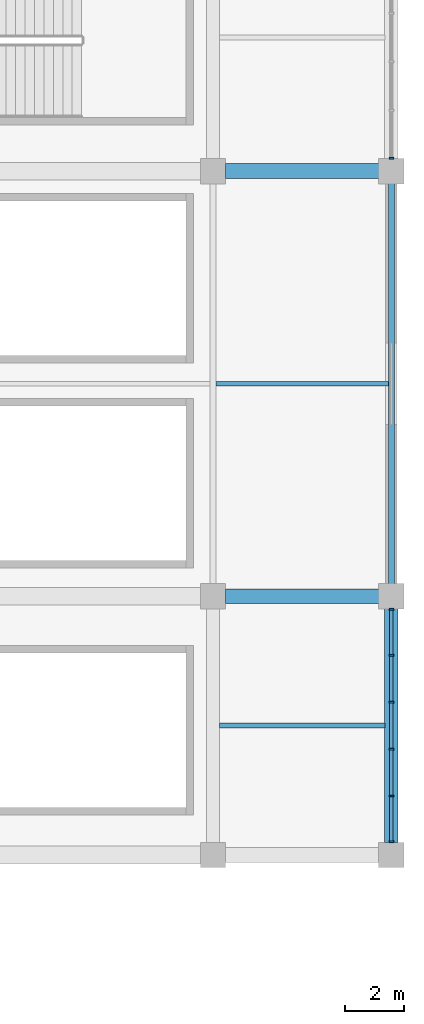
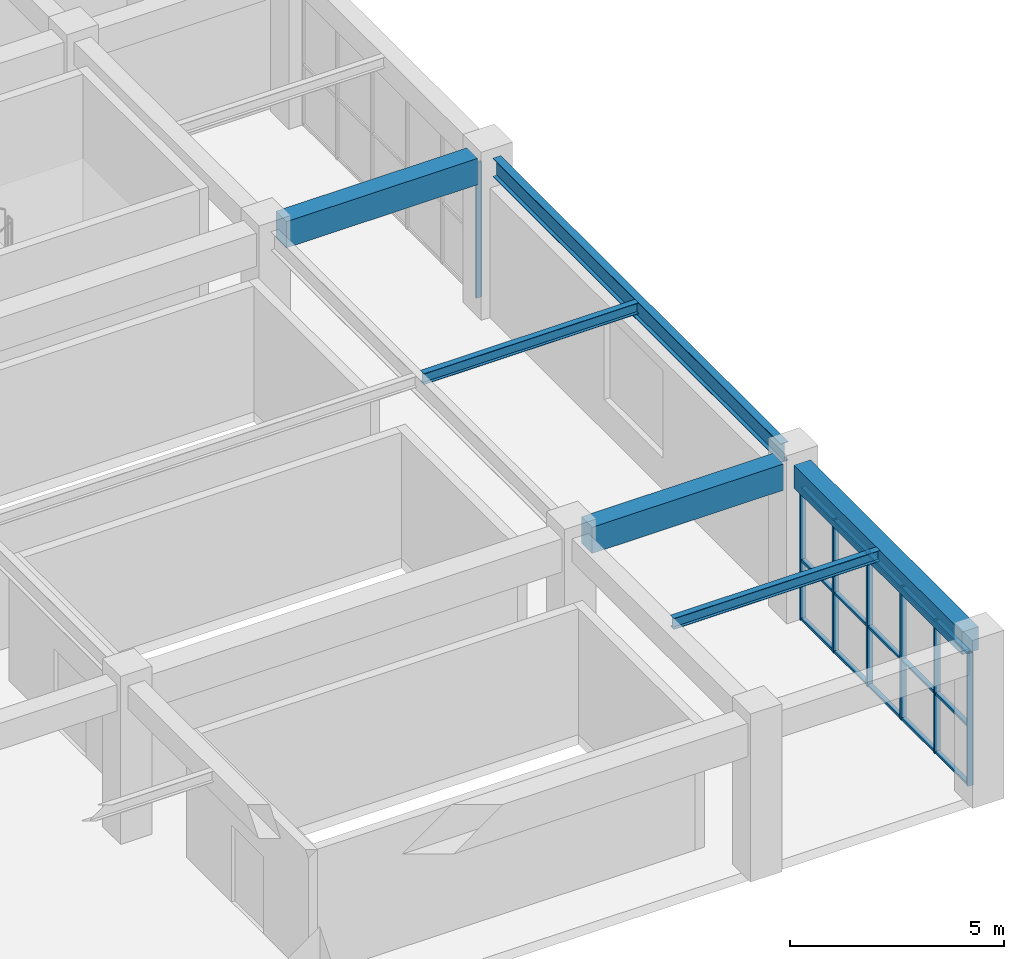
# One storey, part 63 of 122: 22 members, 6 beams, 2 elements without a shape of their own.
"""IFC4 building model written with IfcOpenShell, lengths in metres."""

from ifc_helpers import new_model, si_unit, direction, frame, origin, origin_2d, place, context, subcontext, project, spatial, rectangle, i_section, extrude, material, material_profile, profile_set, type_object, element, aggregate, save


model = new_model("IFC4")

# Units and contexts
model_context = context("Model", 3, precision=1e-05, world=origin(), true_north=direction((0.0, 1.0)))
body_context = subcontext(model_context, "Body", "Model", "MODEL_VIEW")
ifc_project = project(units=[si_unit("LENGTHUNIT", "METRE"), si_unit("AREAUNIT", "SQUARE_METRE"), si_unit("VOLUMEUNIT", "CUBIC_METRE"), si_unit("PLANEANGLEUNIT", "RADIAN"), si_unit("MASSUNIT", "GRAM", prefix="KILO")], contexts=[model_context])

# Site, building, storey
site_placement = place(None, origin())
site = spatial("IfcSite", under=ifc_project, at=site_placement, CompositionType="ELEMENT")
building_placement = place(site_placement, origin())
building = spatial("IfcBuilding", under=site, at=building_placement, Name="Cuetzalor Civic Arena", CompositionType="ELEMENT")
storey_placement = place(building_placement, frame((0.0, 0.0, 16.199951171875)))
storey = spatial("IfcBuildingStorey", under=building, at=storey_placement, Name="L03", CompositionType="ELEMENT", Elevation=16.199951171875)

# Beams
ifc_material_1 = material(Name="Concrete C40/50", Category="concrete")
ifc_material_profile_1 = material_profile(ifc_material_1, rectangle(XDim=0.5, YDim=0.75, at=origin_2d()), Name="RC 500x750")
ifc_profile_set_1 = profile_set([ifc_material_profile_1], Name="Concrete C40/50")
beam_type_1 = type_object("IfcBeamType", Name="ConcreteFrameBeam_500x750", PredefinedType="BEAM", material=ifc_profile_set_1)
for number, where, z_axis, x_axis, name in (
    (1, (76.4150390625, -48.300048828125, 4.0849609375), (1.0, 0.0, 0.0), (0.0, 1.0, 0.0), "Frame Girder V4E-L03-X0961"),
    (2, (76.4150390625, -34.0, 4.14501953125), (1.0, 0.0, 0.0), (0.0, 1.0, 0.0), "Frame Girder V4E-L03-X0964"),
):
    element("IfcBeam", number, at=place(storey_placement, frame(where, z_axis=z_axis, x_axis=x_axis)), inside=storey, type_object=beam_type_1, Name=name, PredefinedType="BEAM", context=body_context, shape_type="SweptSolid", body=[
        extrude(rectangle(XDim=0.5, YDim=0.75, at=origin_2d()), origin(), (0.0, 0.0, 1.0), 5.169921875),
    ])
ifc_material_2 = material(Name="Concrete C40/50", Category="concrete")
ifc_material_profile_2 = material_profile(ifc_material_2, rectangle(XDim=0.449951171875, YDim=0.64990234375, at=origin_2d()), Name="RC 450x650")
ifc_profile_set_2 = profile_set([ifc_material_profile_2], Name="Concrete C40/50")
beam_type_2 = type_object("IfcBeamType", Name="ConcreteTieBeam_450x650", PredefinedType="BEAM", material=ifc_profile_set_2)
beam_1_placement = place(storey_placement, frame((82.0, -56.5849609375, 4.135009765625), z_axis=(0.0, 1.0, 0.0), x_axis=(-1.0, 0.0, 0.0)))
element("IfcBeam", 3, at=beam_1_placement, inside=storey, type_object=beam_type_2, Name="Frame Girder V4E-L03-Y1019", PredefinedType="BEAM", context=body_context, shape_type="SweptSolid", body=[
    extrude(rectangle(XDim=0.449951171875, YDim=0.64990234375, at=origin_2d()), origin(), (0.0, 0.0, 1.0), 7.869873046875),
])

# Curtain wall, members
ifc_material_3 = material(Name="Anodised dark bronze aluminium and low-E solar glass", Category="aluminium")
curtain_wall_type_1 = type_object("IfcCurtainWallType", Name="UnitisedCW_7900x3800", PredefinedType="USERDEFINED", material=ifc_material_3)
curtain_wall_1_placement = place(storey_placement, origin())
curtain_wall_1 = element("IfcCurtainWall", 4, at=curtain_wall_1_placement, inside=storey, type_object=curtain_wall_type_1, Name="V4E Suite Viewing Curtain Wall L03-145", ObjectType="UNITISED CURTAIN WALL", PredefinedType="USERDEFINED")
ifc_material_4 = material(Name="Anodised dark bronze aluminium", Category="aluminium")
ifc_material_profile_3 = material_profile(ifc_material_4, rectangle(XDim=0.06494140625, YDim=0.14990234375, at=origin_2d()), Name="ALU MULLION 65x150")
ifc_profile_set_3 = profile_set([ifc_material_profile_3], Name="Anodised dark bronze aluminium")
member_type_1 = type_object("IfcMemberType", Name="CurtainWallMullion_60x150", PredefinedType="MULLION", material=ifc_profile_set_3)
member_1_placement = place(storey_placement, frame((82.0, -48.739501953125, 0.0), z_axis=(0.0, 0.0, 1.0), x_axis=(0.0, -1.0, 0.0)))
member_1 = element("IfcMember", 5, at=member_1_placement, type_object=member_type_1, Name="CW-44 mullion 1", PredefinedType="MULLION", context=body_context, shape_type="SweptSolid", body=[
    extrude(rectangle(XDim=0.06494140625, YDim=0.14990234375, at=origin_2d()), origin(), (0.0, 0.0, 1.0), 3.800048828125),
])
member_2_placement = place(storey_placement, frame((82.0, -50.2841796875, 0.0), z_axis=(0.0, 0.0, 1.0), x_axis=(0.0, -1.0, 0.0)))
member_2 = element("IfcMember", 6, at=member_2_placement, type_object=member_type_1, Name="CW-44 mullion 2", PredefinedType="MULLION", context=body_context, shape_type="SweptSolid", body=[
    extrude(rectangle(XDim=0.06494140625, YDim=0.14990234375, at=origin_2d()), origin(), (0.0, 0.0, 1.0), 3.800048828125),
])
member_3_placement = place(storey_placement, frame((82.0, -51.861328125, 0.0), z_axis=(0.0, 0.0, 1.0), x_axis=(0.0, -1.0, 0.0)))
member_3 = element("IfcMember", 7, at=member_3_placement, type_object=member_type_1, Name="CW-44 mullion 3", PredefinedType="MULLION", context=body_context, shape_type="SweptSolid", body=[
    extrude(rectangle(XDim=0.06494140625, YDim=0.14990234375, at=origin_2d()), origin(), (0.0, 0.0, 1.0), 3.800048828125),
])
member_4_placement = place(storey_placement, frame((82.0, -53.438720703125, 0.0), z_axis=(0.0, 0.0, 1.0), x_axis=(0.0, -1.0, 0.0)))
member_4 = element("IfcMember", 8, at=member_4_placement, type_object=member_type_1, Name="CW-44 mullion 4", PredefinedType="MULLION", context=body_context, shape_type="SweptSolid", body=[
    extrude(rectangle(XDim=0.06494140625, YDim=0.14990234375, at=origin_2d()), origin(), (0.0, 0.0, 1.0), 3.800048828125),
])
member_5_placement = place(storey_placement, frame((82.0, -55.015869140625, 0.0), z_axis=(0.0, 0.0, 1.0), x_axis=(0.0, -1.0, 0.0)))
member_5 = element("IfcMember", 9, at=member_5_placement, type_object=member_type_1, Name="CW-44 mullion 5", PredefinedType="MULLION", context=body_context, shape_type="SweptSolid", body=[
    extrude(rectangle(XDim=0.06494140625, YDim=0.14990234375, at=origin_2d()), origin(), (0.0, 0.0, 1.0), 3.800048828125),
])
member_6_placement = place(storey_placement, frame((82.0, -56.560546875, 0.0), z_axis=(0.0, 0.0, 1.0), x_axis=(0.0, -1.0, 0.0)))
member_6 = element("IfcMember", 10, at=member_6_placement, type_object=member_type_1, Name="CW-44 mullion 6", PredefinedType="MULLION", context=body_context, shape_type="SweptSolid", body=[
    extrude(rectangle(XDim=0.06494140625, YDim=0.14990234375, at=origin_2d()), origin(), (0.0, 0.0, 1.0), 3.800048828125),
])

# Curtain wall, member
ifc_material_5 = material(Name="Anodised dark bronze aluminium and low-E solar glass", Category="aluminium")
curtain_wall_type_2 = type_object("IfcCurtainWallType", Name="UnitisedCW_8200x3850", PredefinedType="USERDEFINED", material=ifc_material_5)
curtain_wall_2_placement = place(storey_placement, origin())
curtain_wall_2 = element("IfcCurtainWall", 11, at=curtain_wall_2_placement, inside=storey, type_object=curtain_wall_type_2, Name="V4E Suite Viewing Curtain Wall L03-146", ObjectType="UNITISED CURTAIN WALL", PredefinedType="USERDEFINED")
member_7_placement = place(storey_placement, frame((82.0, -33.560546875, 0.0), z_axis=(0.0, 0.0, 1.0), x_axis=(0.0, -1.0, 0.0)))
member_7 = element("IfcMember", 12, at=member_7_placement, type_object=member_type_1, Name="CW-45 mullion 6", PredefinedType="MULLION", context=body_context, shape_type="SweptSolid", body=[
    extrude(rectangle(XDim=0.06494140625, YDim=0.14990234375, at=origin_2d()), origin(), (0.0, 0.0, 1.0), 3.860107421875),
])
aggregate(curtain_wall_2, [member_7])

# Member
ifc_material_6 = material(Name="Anodised dark bronze aluminium", Category="aluminium")
ifc_material_profile_4 = material_profile(ifc_material_6, rectangle(XDim=0.1201171875, YDim=0.06494140625, at=origin_2d()), Name="ALU TRANSOM 65x120")
ifc_profile_set_4 = profile_set([ifc_material_profile_4], Name="Anodised dark bronze aluminium")
member_type_2 = type_object("IfcMemberType", Name="CurtainWallTransom_60x120", PredefinedType="USERDEFINED", material=ifc_profile_set_4)
member_8_placement = place(storey_placement, frame((82.0, -48.77197265625, 0.032470703125), z_axis=(0.0, -1.0, 0.0), x_axis=(1.0, 0.0, 0.0)))
member_8 = element("IfcMember", 13, at=member_8_placement, type_object=member_type_2, Name="CW-44 transom 1.1", ObjectType="TRANSOM", PredefinedType="USERDEFINED", context=body_context, shape_type="SweptSolid", body=[
    extrude(rectangle(XDim=0.1201171875, YDim=0.06494140625, at=origin_2d()), origin(), (0.0, 0.0, 1.0), 1.479736328125),
])

member_9_placement = place(storey_placement, frame((82.0, -48.77197265625, 1.7099609375), z_axis=(0.0, -1.0, 0.0), x_axis=(1.0, 0.0, 0.0)))
member_9 = element("IfcMember", 14, at=member_9_placement, type_object=member_type_2, Name="CW-44 transom 1.2", ObjectType="TRANSOM", PredefinedType="USERDEFINED", context=body_context, shape_type="SweptSolid", body=[
    extrude(rectangle(XDim=0.1201171875, YDim=0.06494140625, at=origin_2d()), origin(), (0.0, 0.0, 1.0), 1.479736328125),
])

member_10_placement = place(storey_placement, frame((82.0, -48.77197265625, 3.767578125), z_axis=(0.0, -1.0, 0.0), x_axis=(1.0, 0.0, 0.0)))
member_10 = element("IfcMember", 15, at=member_10_placement, type_object=member_type_2, Name="CW-44 transom 1.3", ObjectType="TRANSOM", PredefinedType="USERDEFINED", context=body_context, shape_type="SweptSolid", body=[
    extrude(rectangle(XDim=0.1201171875, YDim=0.06494140625, at=origin_2d()), origin(), (0.0, 0.0, 1.0), 1.479736328125),
])

member_11_placement = place(storey_placement, frame((82.0, -50.316650390625, 0.032470703125), z_axis=(0.0, -1.0, 0.0), x_axis=(1.0, 0.0, 0.0)))
member_11 = element("IfcMember", 16, at=member_11_placement, type_object=member_type_2, Name="CW-44 transom 2.1", ObjectType="TRANSOM", PredefinedType="USERDEFINED", context=body_context, shape_type="SweptSolid", body=[
    extrude(rectangle(XDim=0.1201171875, YDim=0.06494140625, at=origin_2d()), origin(), (0.0, 0.0, 1.0), 1.51220703125),
])

member_12_placement = place(storey_placement, frame((82.0, -50.316650390625, 1.7099609375), z_axis=(0.0, -1.0, 0.0), x_axis=(1.0, 0.0, 0.0)))
member_12 = element("IfcMember", 17, at=member_12_placement, type_object=member_type_2, Name="CW-44 transom 2.2", ObjectType="TRANSOM", PredefinedType="USERDEFINED", context=body_context, shape_type="SweptSolid", body=[
    extrude(rectangle(XDim=0.1201171875, YDim=0.06494140625, at=origin_2d()), origin(), (0.0, 0.0, 1.0), 1.51220703125),
])

member_13_placement = place(storey_placement, frame((82.0, -50.316650390625, 3.767578125), z_axis=(0.0, -1.0, 0.0), x_axis=(1.0, 0.0, 0.0)))
member_13 = element("IfcMember", 18, at=member_13_placement, type_object=member_type_2, Name="CW-44 transom 2.3", ObjectType="TRANSOM", PredefinedType="USERDEFINED", context=body_context, shape_type="SweptSolid", body=[
    extrude(rectangle(XDim=0.1201171875, YDim=0.06494140625, at=origin_2d()), origin(), (0.0, 0.0, 1.0), 1.51220703125),
])

member_14_placement = place(storey_placement, frame((82.0, -51.893798828125, 0.032470703125), z_axis=(0.0, -1.0, 0.0), x_axis=(1.0, 0.0, 0.0)))
member_14 = element("IfcMember", 19, at=member_14_placement, type_object=member_type_2, Name="CW-44 transom 3.1", ObjectType="TRANSOM", PredefinedType="USERDEFINED", context=body_context, shape_type="SweptSolid", body=[
    extrude(rectangle(XDim=0.1201171875, YDim=0.06494140625, at=origin_2d()), origin(), (0.0, 0.0, 1.0), 1.51220703125),
])

member_15_placement = place(storey_placement, frame((82.0, -51.893798828125, 1.7099609375), z_axis=(0.0, -1.0, 0.0), x_axis=(1.0, 0.0, 0.0)))
member_15 = element("IfcMember", 20, at=member_15_placement, type_object=member_type_2, Name="CW-44 transom 3.2", ObjectType="TRANSOM", PredefinedType="USERDEFINED", context=body_context, shape_type="SweptSolid", body=[
    extrude(rectangle(XDim=0.1201171875, YDim=0.06494140625, at=origin_2d()), origin(), (0.0, 0.0, 1.0), 1.51220703125),
])

member_16_placement = place(storey_placement, frame((82.0, -51.893798828125, 3.767578125), z_axis=(0.0, -1.0, 0.0), x_axis=(1.0, 0.0, 0.0)))
member_16 = element("IfcMember", 21, at=member_16_placement, type_object=member_type_2, Name="CW-44 transom 3.3", ObjectType="TRANSOM", PredefinedType="USERDEFINED", context=body_context, shape_type="SweptSolid", body=[
    extrude(rectangle(XDim=0.1201171875, YDim=0.06494140625, at=origin_2d()), origin(), (0.0, 0.0, 1.0), 1.51220703125),
])

member_17_placement = place(storey_placement, frame((82.0, -53.47119140625, 0.032470703125), z_axis=(0.0, -1.0, 0.0), x_axis=(1.0, 0.0, 0.0)))
member_17 = element("IfcMember", 22, at=member_17_placement, type_object=member_type_2, Name="CW-44 transom 4.1", ObjectType="TRANSOM", PredefinedType="USERDEFINED", context=body_context, shape_type="SweptSolid", body=[
    extrude(rectangle(XDim=0.1201171875, YDim=0.06494140625, at=origin_2d()), origin(), (0.0, 0.0, 1.0), 1.51220703125),
])

member_18_placement = place(storey_placement, frame((82.0, -53.47119140625, 1.7099609375), z_axis=(0.0, -1.0, 0.0), x_axis=(1.0, 0.0, 0.0)))
member_18 = element("IfcMember", 23, at=member_18_placement, type_object=member_type_2, Name="CW-44 transom 4.2", ObjectType="TRANSOM", PredefinedType="USERDEFINED", context=body_context, shape_type="SweptSolid", body=[
    extrude(rectangle(XDim=0.1201171875, YDim=0.06494140625, at=origin_2d()), origin(), (0.0, 0.0, 1.0), 1.51220703125),
])

member_19_placement = place(storey_placement, frame((82.0, -53.47119140625, 3.767578125), z_axis=(0.0, -1.0, 0.0), x_axis=(1.0, 0.0, 0.0)))
member_19 = element("IfcMember", 24, at=member_19_placement, type_object=member_type_2, Name="CW-44 transom 4.3", ObjectType="TRANSOM", PredefinedType="USERDEFINED", context=body_context, shape_type="SweptSolid", body=[
    extrude(rectangle(XDim=0.1201171875, YDim=0.06494140625, at=origin_2d()), origin(), (0.0, 0.0, 1.0), 1.51220703125),
])

member_20_placement = place(storey_placement, frame((82.0, -55.04833984375, 0.032470703125), z_axis=(0.0, -1.0, 0.0), x_axis=(1.0, 0.0, 0.0)))
member_20 = element("IfcMember", 25, at=member_20_placement, type_object=member_type_2, Name="CW-44 transom 5.1", ObjectType="TRANSOM", PredefinedType="USERDEFINED", context=body_context, shape_type="SweptSolid", body=[
    extrude(rectangle(XDim=0.1201171875, YDim=0.06494140625, at=origin_2d()), origin(), (0.0, 0.0, 1.0), 1.479736328125),
])

member_21_placement = place(storey_placement, frame((82.0, -55.04833984375, 1.7099609375), z_axis=(0.0, -1.0, 0.0), x_axis=(1.0, 0.0, 0.0)))
member_21 = element("IfcMember", 26, at=member_21_placement, type_object=member_type_2, Name="CW-44 transom 5.2", ObjectType="TRANSOM", PredefinedType="USERDEFINED", context=body_context, shape_type="SweptSolid", body=[
    extrude(rectangle(XDim=0.1201171875, YDim=0.06494140625, at=origin_2d()), origin(), (0.0, 0.0, 1.0), 1.479736328125),
])

member_22_placement = place(storey_placement, frame((82.0, -55.04833984375, 3.767578125), z_axis=(0.0, -1.0, 0.0), x_axis=(1.0, 0.0, 0.0)))
member_22 = element("IfcMember", 27, at=member_22_placement, type_object=member_type_2, Name="CW-44 transom 5.3", ObjectType="TRANSOM", PredefinedType="USERDEFINED", context=body_context, shape_type="SweptSolid", body=[
    extrude(rectangle(XDim=0.1201171875, YDim=0.06494140625, at=origin_2d()), origin(), (0.0, 0.0, 1.0), 1.479736328125),
])

aggregate(curtain_wall_1, [member_1, member_2, member_3, member_4, member_5, member_6, member_8, member_9, member_10, member_11, member_12, member_13, member_14, member_15, member_16, member_17, member_18, member_19, member_20, member_21, member_22])

# Beams
ifc_material_7 = material(Name="Steel S355", Category="steel")
ifc_material_profile_5 = material_profile(ifc_material_7, i_section(OverallWidth=0.166015625, OverallDepth=0.31298828125, WebThickness=0.006591796875, FlangeThickness=0.01123046875, at=origin_2d()), Name="W310x45")
ifc_profile_set_5 = profile_set([ifc_material_profile_5], Name="Steel S355")
beam_type_3 = type_object("IfcBeamType", Name="SecondaryRoofJoist_W310", PredefinedType="JOIST", material=ifc_profile_set_5)
beam_2_placement = place(storey_placement, frame((76.217041015625, -52.64990234375, 4.303466796875), z_axis=(1.0, 0.0, 0.0), x_axis=(0.0, 1.0, 0.0)))
element("IfcBeam", 28, at=beam_2_placement, inside=storey, type_object=beam_type_3, Name="Secondary Floor Joist V4E-L03-0309", PredefinedType="JOIST", context=body_context, shape_type="SweptSolid", body=[
    extrude(i_section(OverallWidth=0.166015625, OverallDepth=0.31298828125, WebThickness=0.006591796875, FlangeThickness=0.01123046875, at=origin_2d()), origin(), (0.0, 0.0, 1.0), 5.56591796875),
])
beam_3_placement = place(storey_placement, frame((76.096435546875, -41.14990234375, 4.363525390625), z_axis=(1.0, 0.0, 0.0), x_axis=(0.0, 1.0, 0.0)))
element("IfcBeam", 29, at=beam_3_placement, inside=storey, type_object=beam_type_3, Name="Secondary Floor Joist V4E-L03-0310", PredefinedType="JOIST", context=body_context, shape_type="SweptSolid", body=[
    extrude(i_section(OverallWidth=0.166015625, OverallDepth=0.31298828125, WebThickness=0.006591796875, FlangeThickness=0.01123046875, at=origin_2d()), origin(), (0.0, 0.0, 1.0), 5.80712890625),
])
ifc_material_8 = material(Name="Steel S355", Category="steel")
ifc_material_profile_6 = material_profile(ifc_material_8, i_section(OverallWidth=0.208984375, OverallDepth=0.532958984375, WebThickness=0.01025390625, FlangeThickness=0.015625, at=origin_2d()), Name="W530x92")
ifc_profile_set_6 = profile_set([ifc_material_profile_6], Name="Steel S355")
beam_type_4 = type_object("IfcBeamType", Name="SteelCollarGirder_W530", PredefinedType="BEAM", material=ifc_profile_set_6)
beam_4_placement = place(storey_placement, frame((82.0, -47.885009765625, 4.253662109375), z_axis=(0.0, 1.0, 0.0), x_axis=(-1.0, 0.0, 0.0)))
element("IfcBeam", 30, at=beam_4_placement, inside=storey, type_object=beam_type_4, Name="Frame Girder V4E-L03-Y1020", PredefinedType="BEAM", context=body_context, shape_type="SweptSolid", body=[
    extrude(i_section(OverallWidth=0.208984375, OverallDepth=0.532958984375, WebThickness=0.01025390625, FlangeThickness=0.015625, at=origin_2d()), origin(), (0.0, 0.0, 1.0), 13.469970703125),
])

save(model, "model.ifc")
